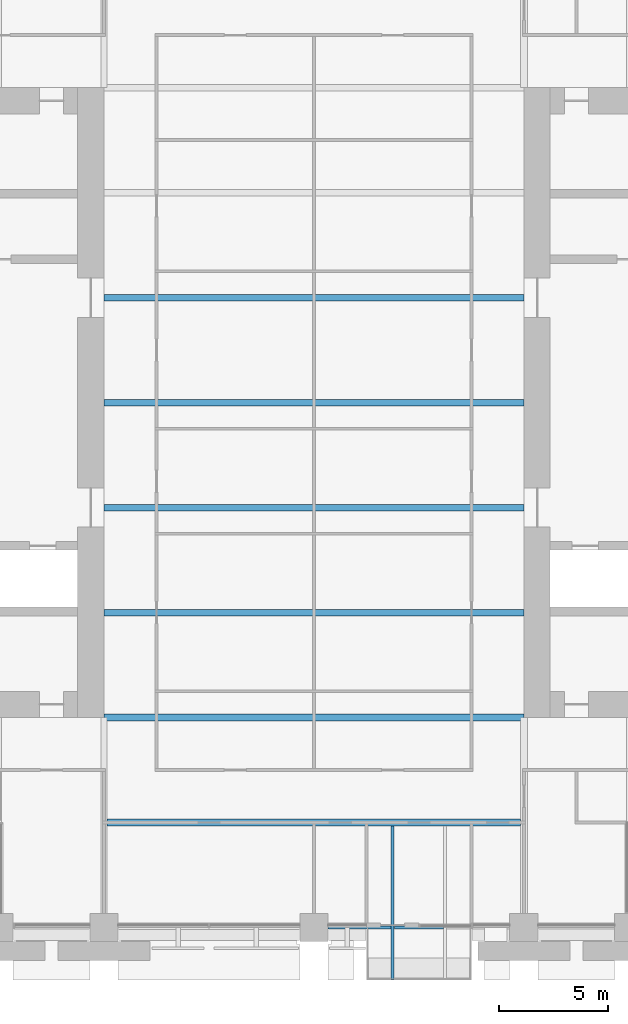
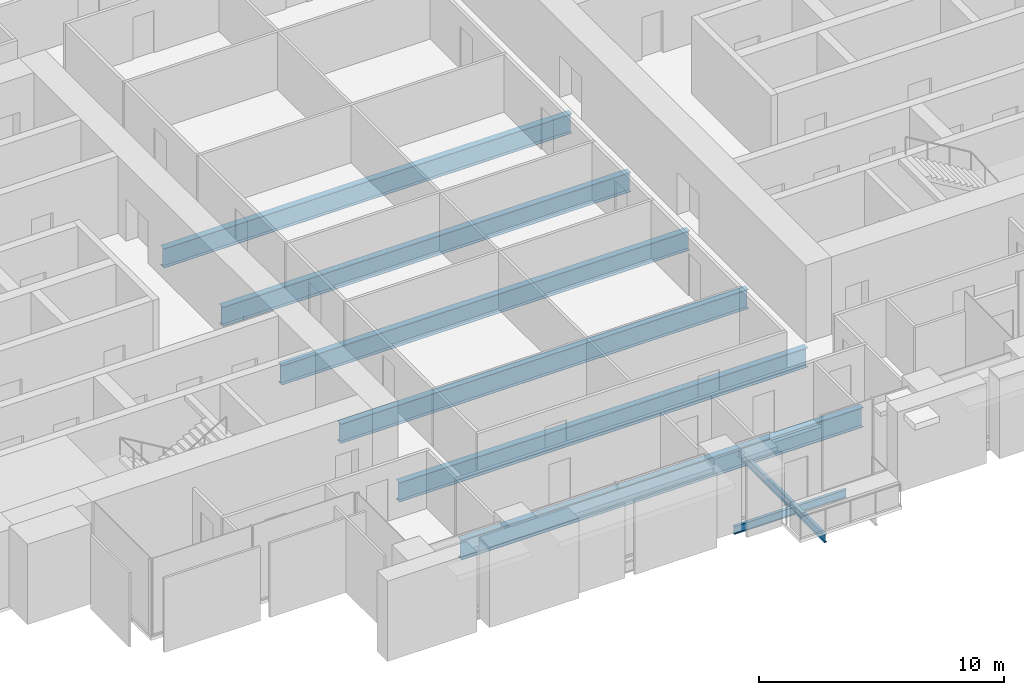
# One storey, part 3 of 15: 9 beams.
"""IFC4 building model written with IfcOpenShell, lengths in metres."""

from ifc_helpers import new_model, si_unit, direction, frame, origin, origin_2d, place, context, subcontext, project, spatial, i_section, extrude, material, material_profile, profile_set, type_object, element, save


model = new_model("IFC4")

# Units and contexts
model_context = context("Model", 3, precision=1e-05, world=origin(), true_north=direction((0.0, 1.0)))
body_context = subcontext(model_context, "Body", "Model", "MODEL_VIEW")
ifc_project = project(units=[si_unit("LENGTHUNIT", "METRE"), si_unit("AREAUNIT", "SQUARE_METRE"), si_unit("VOLUMEUNIT", "CUBIC_METRE"), si_unit("PLANEANGLEUNIT", "RADIAN"), si_unit("MASSUNIT", "GRAM", prefix="KILO")], contexts=[model_context])

# Site, building, storey
site_placement = place(None, origin())
site = spatial("IfcSite", under=ifc_project, at=site_placement, CompositionType="ELEMENT")
building_placement = place(site_placement, origin())
building = spatial("IfcBuilding", under=site, at=building_placement, Name="Baori Bourse Tower", CompositionType="ELEMENT")
storey_placement = place(building_placement, frame((0.0, 0.0, 59.0)))
storey = spatial("IfcBuildingStorey", under=building, at=storey_placement, Name="L12", CompositionType="ELEMENT", Elevation=59.0)

# Beams
ifc_material_1 = material(Name="Steel A992 Gr 50", Category="steel")
ifc_material_profile_1 = material_profile(ifc_material_1, i_section(OverallWidth=0.140380859375, OverallDepth=0.40380859375, WebThickness=0.007080078125, FlangeThickness=0.01123046875, at=origin_2d()), Name="W16x31")
ifc_profile_set_1 = profile_set([ifc_material_profile_1], Name="Steel A992 Gr 50")
beam_type_1 = type_object("IfcBeamType", Name="Balcony beam W16x31", PredefinedType="BEAM", material=ifc_profile_set_1)
beam_1_placement = place(storey_placement, frame((32.39990234375, -2.39990234375, -0.36181640625), z_axis=(0.0, 1.0, 0.0), x_axis=(-1.0, 0.0, 0.0)))
element("IfcBeam", 1, at=beam_1_placement, inside=storey, type_object=beam_type_1, Name="Balcony beam L12", PredefinedType="BEAM", context=body_context, shape_type="SweptSolid", body=[
    extrude(i_section(OverallWidth=0.140380859375, OverallDepth=0.40380859375, WebThickness=0.007080078125, FlangeThickness=0.01123046875, at=origin_2d()), origin(), (0.0, 0.0, 1.0), 7.050048828125),
])
ifc_material_2 = material(Name="Steel A992 Gr 50", Category="steel")
ifc_material_profile_2 = material_profile(ifc_material_2, i_section(OverallWidth=0.140380859375, OverallDepth=0.40380859375, WebThickness=0.007080078125, FlangeThickness=0.01123046875, at=origin_2d()), Name="W16x31")
ifc_profile_set_2 = profile_set([ifc_material_profile_2], Name="Steel A992 Gr 50")
beam_type_2 = type_object("IfcBeamType", Name="Edge beam W16x31", PredefinedType="BEAM", material=ifc_profile_set_2)
beam_2_placement = place(storey_placement, frame((29.449951171875, 0.0, -0.36181640625), z_axis=(1.0, 0.0, 0.0), x_axis=(0.0, 1.0, 0.0)))
element("IfcBeam", 2, at=beam_2_placement, inside=storey, type_object=beam_type_2, Name="Edge beam L12", PredefinedType="BEAM", context=body_context, shape_type="SweptSolid", body=[
    extrude(i_section(OverallWidth=0.140380859375, OverallDepth=0.40380859375, WebThickness=0.007080078125, FlangeThickness=0.01123046875, at=origin_2d()), origin(), (0.0, 0.0, 1.0), 2.8798828125),
])
beam_3_placement = place(storey_placement, frame((32.47021484375, 0.0, -0.36181640625), z_axis=(1.0, 0.0, 0.0), x_axis=(0.0, 1.0, 0.0)))
element("IfcBeam", 3, at=beam_3_placement, inside=storey, type_object=beam_type_2, Name="Edge beam L12", PredefinedType="BEAM", context=body_context, shape_type="SweptSolid", body=[
    extrude(i_section(OverallWidth=0.140380859375, OverallDepth=0.40380859375, WebThickness=0.007080078125, FlangeThickness=0.01123046875, at=origin_2d()), origin(), (0.0, 0.0, 1.0), 2.259521484375),
])
ifc_material_3 = material(Name="Steel A992 Gr 50", Category="steel")
ifc_material_profile_3 = material_profile(ifc_material_3, i_section(OverallWidth=0.2998046875, OverallDepth=0.97021484375, WebThickness=0.01611328125, FlangeThickness=0.02099609375, at=origin_2d()), Name="W40x149")
ifc_profile_set_3 = profile_set([ifc_material_profile_3], Name="Steel A992 Gr 50")
beam_type_3 = type_object("IfcBeamType", Name="Floor beam W40x149", PredefinedType="BEAM", material=ifc_profile_set_3)
for number, where, z_axis, x_axis, name in (
    (4, (19.199951171875, 9.60009765625, -0.64501953125), (1.0, 0.0, 0.0), (0.0, 1.0, 0.0), "Floor beam L12"),
    (5, (19.199951171875, 14.39990234375, -0.64501953125), (1.0, 0.0, 0.0), (0.0, 1.0, 0.0), "Floor beam L12"),
    (6, (19.199951171875, 19.199951171875, -0.64501953125), (1.0, 0.0, 0.0), (0.0, 1.0, 0.0), "Floor beam L12"),
    (7, (19.199951171875, 24.0, -0.64501953125), (1.0, 0.0, 0.0), (0.0, 1.0, 0.0), "Floor beam L12"),
    (8, (19.199951171875, 28.800048828125, -0.64501953125), (1.0, 0.0, 0.0), (0.0, 1.0, 0.0), "Floor beam L12"),
):
    element("IfcBeam", number, at=place(storey_placement, frame(where, z_axis=z_axis, x_axis=x_axis)), inside=storey, type_object=beam_type_3, Name=name, PredefinedType="BEAM", context=body_context, shape_type="SweptSolid", body=[
        extrude(i_section(OverallWidth=0.2998046875, OverallDepth=0.97021484375, WebThickness=0.01611328125, FlangeThickness=0.02099609375, at=origin_2d()), origin(), (0.0, 0.0, 1.0), 19.199951171875),
    ])
ifc_material_4 = material(Name="Steel A992 Gr 50", Category="steel")
ifc_material_profile_4 = material_profile(ifc_material_4, i_section(OverallWidth=0.2998046875, OverallDepth=0.990478515625, WebThickness=0.0166015625, FlangeThickness=0.030517578125, at=origin_2d()), Name="W40x183")
ifc_profile_set_4 = profile_set([ifc_material_profile_4], Name="Steel A992 Gr 50")
beam_type_4 = type_object("IfcBeamType", Name="Floor beam W40x183", PredefinedType="BEAM", material=ifc_profile_set_4)
beam_4_placement = place(storey_placement, frame((19.345947265625, 4.800048828125, -0.6552734375), z_axis=(1.0, 0.0, 0.0), x_axis=(0.0, 1.0, 0.0)))
element("IfcBeam", 9, at=beam_4_placement, inside=storey, type_object=beam_type_4, Name="Floor beam L12", PredefinedType="BEAM", context=body_context, shape_type="SweptSolid", body=[
    extrude(i_section(OverallWidth=0.2998046875, OverallDepth=0.990478515625, WebThickness=0.0166015625, FlangeThickness=0.030517578125, at=origin_2d()), origin(), (0.0, 0.0, 1.0), 18.901611328125),
])

save(model, "model.ifc")
